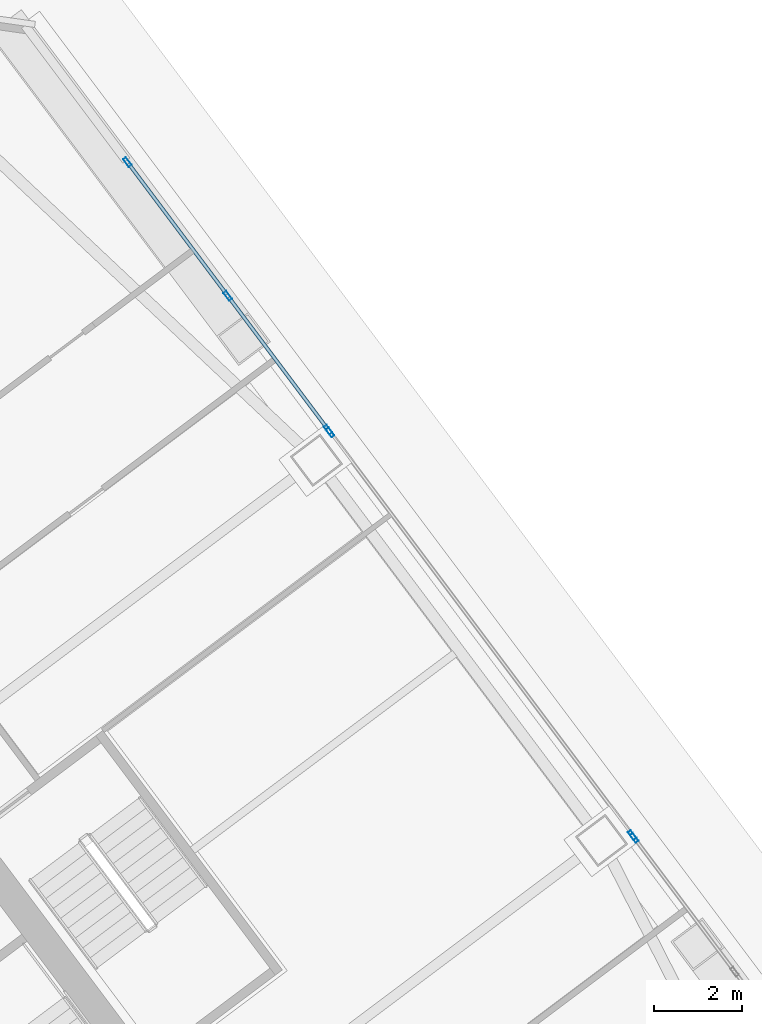
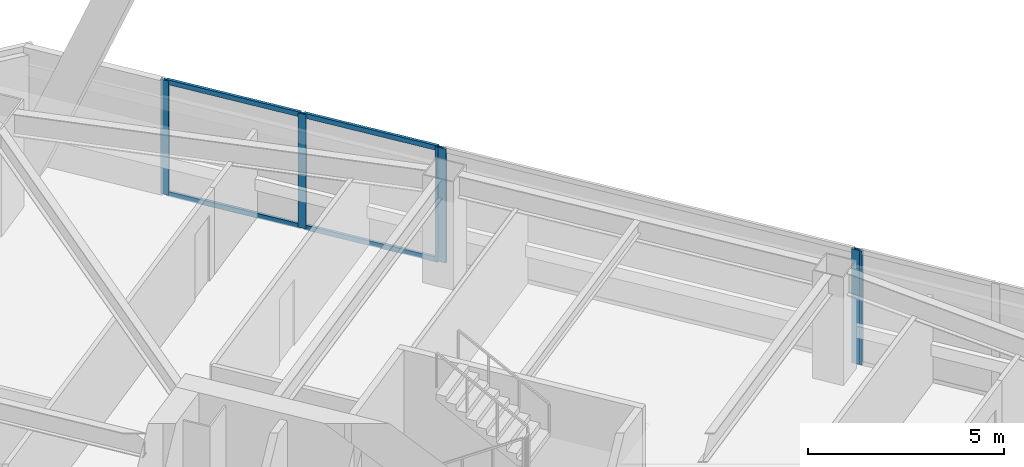
# One storey, part 53 of 67: 10 members, 3 elements without a shape of their own.
"""IFC4 building model written with IfcOpenShell, lengths in metres."""

from ifc_helpers import new_model, si_unit, direction, frame, origin, origin_2d, place, context, subcontext, project, spatial, hollow_rectangle, extrude, material, material_profile, profile_set, type_object, element, aggregate, save


model = new_model("IFC4")

# Units and contexts
model_context = context("Model", 3, precision=1e-05, world=origin(), true_north=direction((0.0, 1.0)))
body_context = subcontext(model_context, "Body", "Model", "MODEL_VIEW")
ifc_project = project(units=[si_unit("LENGTHUNIT", "METRE"), si_unit("AREAUNIT", "SQUARE_METRE"), si_unit("VOLUMEUNIT", "CUBIC_METRE"), si_unit("PLANEANGLEUNIT", "RADIAN"), si_unit("MASSUNIT", "GRAM", prefix="KILO")], contexts=[model_context])

# Site, building, storey
site_placement = place(None, origin())
site = spatial("IfcSite", under=ifc_project, at=site_placement, CompositionType="ELEMENT")
building_placement = place(site_placement, origin())
building = spatial("IfcBuilding", under=site, at=building_placement, Name="Tashvorn Skyway Center", CompositionType="ELEMENT")
storey_placement = place(building_placement, frame((0.0, 0.0, 67.199951171875)))
storey = spatial("IfcBuildingStorey", under=building, at=storey_placement, Name="L17", CompositionType="ELEMENT", Elevation=67.199951171875)

# Curtain wall, members
ifc_material = material(Name="Thermally broken bronze-anodized aluminium 6063-T6", Category="aluminium")
curtain_wall_type = type_object("IfcCurtainWallType", Name="CW-CW-Z2", PredefinedType="NOTDEFINED", material=ifc_material)
curtain_wall_1_placement = place(storey_placement, origin())
curtain_wall_1 = element("IfcCurtainWall", 1, at=curtain_wall_1_placement, inside=storey, type_object=curtain_wall_type, Name="Tower 2 L17 East Unitised Curtain Wall Glazing Group 1", PredefinedType="NOTDEFINED")
ifc_material_profile_1 = material_profile(ifc_material, hollow_rectangle(XDim=0.080078125, YDim=0.219970703125, WallThickness=0.0048828125, at=origin_2d()), Name="ALU-MULL-80x220")
ifc_profile_set_1 = profile_set([ifc_material_profile_1], Name="Thermally broken bronze-anodized aluminium 6063-T6")
member_type_1 = type_object("IfcMemberType", Name="CWM-CW-Z2", PredefinedType="MULLION", material=ifc_profile_set_1)
member_1_placement = place(storey_placement, frame((121.864013671875, 54.64794921875, 0.0), z_axis=(0.0, 0.0, 1.0), x_axis=(0.799999999998, 0.600000000002, 0.0)))
member_1 = element("IfcMember", 2, at=member_1_placement, type_object=member_type_1, Name="CW-Z2 mullion 1", PredefinedType="MULLION", context=body_context, shape_type="SweptSolid", body=[
    extrude(hollow_rectangle(XDim=0.080078125, YDim=0.219970703125, WallThickness=0.0048828125, at=origin_2d()), origin(), (0.0, 0.0, 1.0), 3.550048828125),
])
member_2_placement = place(storey_placement, frame((124.14404296875, 51.60791015625, 0.0), z_axis=(0.0, 0.0, 1.0), x_axis=(0.799999999998, 0.600000000002, 0.0)))
member_2 = element("IfcMember", 3, at=member_2_placement, type_object=member_type_1, Name="CW-Z2 mullion 2", PredefinedType="MULLION", context=body_context, shape_type="SweptSolid", body=[
    extrude(hollow_rectangle(XDim=0.080078125, YDim=0.219970703125, WallThickness=0.0048828125, at=origin_2d()), origin(), (0.0, 0.0, 1.0), 3.550048828125),
])
member_3_placement = place(storey_placement, frame((126.424072265625, 48.568115234375, 0.0), z_axis=(0.0, 0.0, 1.0), x_axis=(0.799999999998, 0.600000000002, 0.0)))
member_3 = element("IfcMember", 4, at=member_3_placement, type_object=member_type_1, Name="CW-Z2 mullion 3", PredefinedType="MULLION", context=body_context, shape_type="SweptSolid", body=[
    extrude(hollow_rectangle(XDim=0.080078125, YDim=0.219970703125, WallThickness=0.0048828125, at=origin_2d()), origin(), (0.0, 0.0, 1.0), 3.550048828125),
])

curtain_wall_2_placement = place(storey_placement, origin())
curtain_wall_2 = element("IfcCurtainWall", 5, at=curtain_wall_2_placement, inside=storey, type_object=curtain_wall_type, Name="Tower 2 L17 East Unitised Curtain Wall Glazing Group 2", PredefinedType="NOTDEFINED")
member_4_placement = place(storey_placement, frame((126.471923828125, 48.50390625, 0.0), z_axis=(0.0, 0.0, 1.0), x_axis=(0.799999999998, 0.600000000002, 0.0)))
member_4 = element("IfcMember", 6, at=member_4_placement, type_object=member_type_1, Name="CW-Z2 mullion 1", PredefinedType="MULLION", context=body_context, shape_type="SweptSolid", body=[
    extrude(hollow_rectangle(XDim=0.080078125, YDim=0.219970703125, WallThickness=0.0048828125, at=origin_2d()), origin(), (0.0, 0.0, 1.0), 3.550048828125),
])
member_5_placement = place(storey_placement, frame((133.3359375, 39.35205078125, 0.0), z_axis=(0.0, 0.0, 1.0), x_axis=(0.799999999998, 0.600000000002, 0.0)))
member_5 = element("IfcMember", 7, at=member_5_placement, type_object=member_type_1, Name="CW-Z2 mullion 2", PredefinedType="MULLION", context=body_context, shape_type="SweptSolid", body=[
    extrude(hollow_rectangle(XDim=0.080078125, YDim=0.219970703125, WallThickness=0.0048828125, at=origin_2d()), origin(), (0.0, 0.0, 1.0), 3.550048828125),
])
aggregate(curtain_wall_2, [member_4, member_5])

# Curtain wall, member
curtain_wall_3_placement = place(storey_placement, origin())
curtain_wall_3 = element("IfcCurtainWall", 8, at=curtain_wall_3_placement, inside=storey, type_object=curtain_wall_type, Name="Tower 2 L17 East Unitised Curtain Wall Glazing Group 3", PredefinedType="NOTDEFINED")
member_6_placement = place(storey_placement, frame((133.384033203125, 39.2880859375, 0.0), z_axis=(0.0, 0.0, 1.0), x_axis=(0.799999999998, 0.600000000002, 0.0)))
member_6 = element("IfcMember", 9, at=member_6_placement, type_object=member_type_1, Name="CW-Z2 mullion 1", PredefinedType="MULLION", context=body_context, shape_type="SweptSolid", body=[
    extrude(hollow_rectangle(XDim=0.080078125, YDim=0.219970703125, WallThickness=0.0048828125, at=origin_2d()), origin(), (0.0, 0.0, 1.0), 3.550048828125),
])
aggregate(curtain_wall_3, [member_6])

# Member
ifc_material_profile_2 = material_profile(ifc_material, hollow_rectangle(XDim=0.080078125, YDim=0.14990234375, WallThickness=0.00439453125, at=origin_2d()), Name="ALU-TRAN-80x150")
ifc_profile_set_2 = profile_set([ifc_material_profile_2], Name="Thermally broken bronze-anodized aluminium 6063-T6")
member_type_2 = type_object("IfcMemberType", Name="CWT-CW-Z2", PredefinedType="USERDEFINED", material=ifc_profile_set_2)
member_7_placement = place(storey_placement, frame((121.887939453125, 54.615966796875, 0.0400390625), z_axis=(0.6000210002, -0.799984249419, 0.0), x_axis=(0.799984249419, 0.6000210002, 0.0)))
member_7 = element("IfcMember", 10, at=member_7_placement, type_object=member_type_2, Name="CW-Z2 transom 1.1", ObjectType="TRANSOM", PredefinedType="USERDEFINED", context=body_context, shape_type="SweptSolid", body=[
    extrude(hollow_rectangle(XDim=0.080078125, YDim=0.14990234375, WallThickness=0.00439453125, at=origin_2d()), origin(), (0.0, 0.0, 1.0), 3.72021484375),
])

member_8_placement = place(storey_placement, frame((121.887939453125, 54.615966796875, 3.510009765625), z_axis=(0.6000210002, -0.799984249419, 0.0), x_axis=(0.799984249419, 0.6000210002, 0.0)))
member_8 = element("IfcMember", 11, at=member_8_placement, type_object=member_type_2, Name="CW-Z2 transom 1.2", ObjectType="TRANSOM", PredefinedType="USERDEFINED", context=body_context, shape_type="SweptSolid", body=[
    extrude(hollow_rectangle(XDim=0.080078125, YDim=0.14990234375, WallThickness=0.00439453125, at=origin_2d()), origin(), (0.0, 0.0, 1.0), 3.72021484375),
])

member_9_placement = place(storey_placement, frame((124.16796875, 51.575927734375, 0.0400390625), z_axis=(0.600010501117, -0.799992124055, 0.0), x_axis=(0.799992124055, 0.600010501117, 0.0)))
member_9 = element("IfcMember", 12, at=member_9_placement, type_object=member_type_2, Name="CW-Z2 transom 2.1", ObjectType="TRANSOM", PredefinedType="USERDEFINED", context=body_context, shape_type="SweptSolid", body=[
    extrude(hollow_rectangle(XDim=0.080078125, YDim=0.14990234375, WallThickness=0.00439453125, at=origin_2d()), origin(), (0.0, 0.0, 1.0), 3.7197265625),
])

member_10_placement = place(storey_placement, frame((124.16796875, 51.575927734375, 3.510009765625), z_axis=(0.600010501117, -0.799992124055, 0.0), x_axis=(0.799992124055, 0.600010501117, 0.0)))
member_10 = element("IfcMember", 13, at=member_10_placement, type_object=member_type_2, Name="CW-Z2 transom 2.2", ObjectType="TRANSOM", PredefinedType="USERDEFINED", context=body_context, shape_type="SweptSolid", body=[
    extrude(hollow_rectangle(XDim=0.080078125, YDim=0.14990234375, WallThickness=0.00439453125, at=origin_2d()), origin(), (0.0, 0.0, 1.0), 3.7197265625),
])

aggregate(curtain_wall_1, [member_1, member_2, member_3, member_7, member_8, member_9, member_10])

save(model, "model.ifc")
